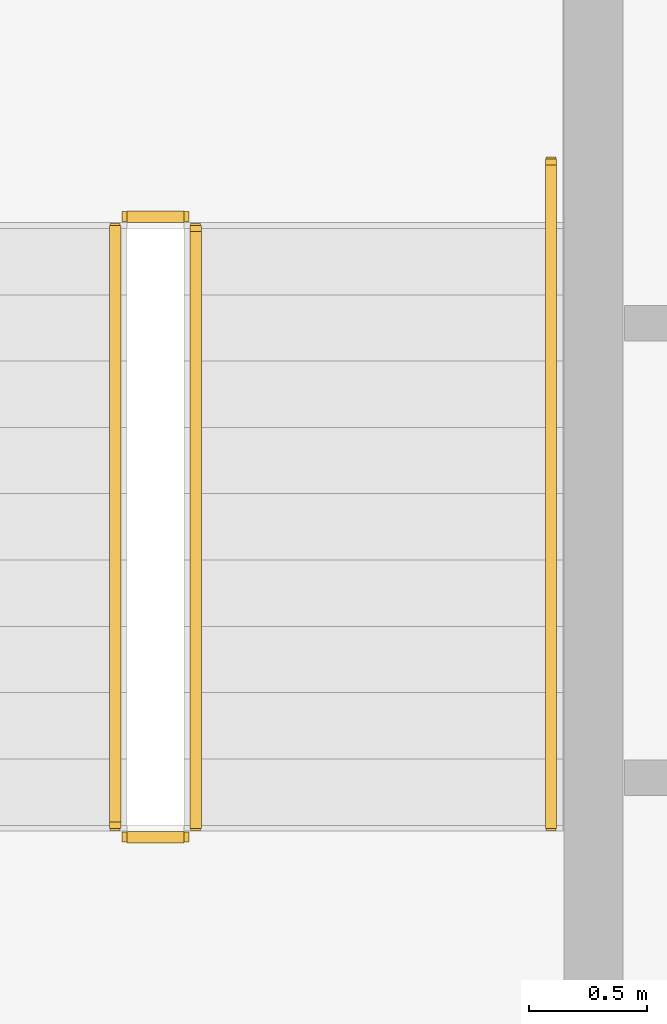
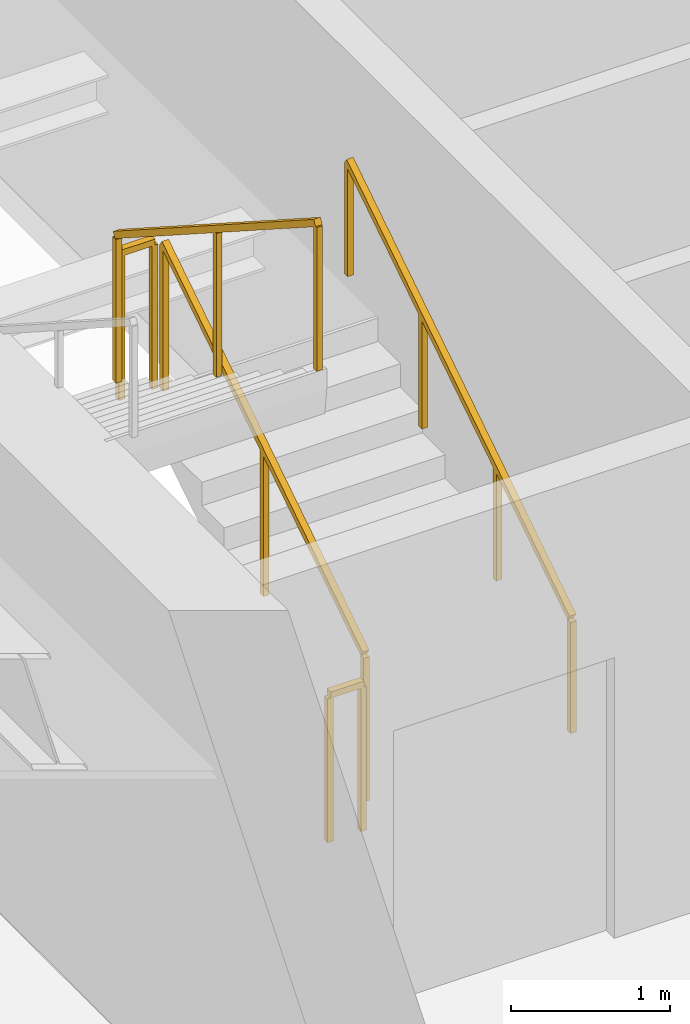
# One storey, part 24 of 27: 5 railings.
"""IFC4 building model written with IfcOpenShell, lengths in metres."""

from ifc_helpers import new_model, si_unit, direction, frame, origin, origin_2d, place, context, subcontext, project, spatial, rectangle, extrude, material, type_object, element, save


model = new_model("IFC4")

# Units and contexts
model_context = context("Model", 3, precision=1e-05, world=origin(), true_north=direction((0.0, 1.0)))
body_context = subcontext(model_context, "Body", "Model", "MODEL_VIEW")
ifc_project = project(units=[si_unit("LENGTHUNIT", "METRE"), si_unit("AREAUNIT", "SQUARE_METRE"), si_unit("VOLUMEUNIT", "CUBIC_METRE"), si_unit("PLANEANGLEUNIT", "RADIAN"), si_unit("MASSUNIT", "GRAM", prefix="KILO")], contexts=[model_context])

# Site, building, storey
site_placement = place(None, origin())
site = spatial("IfcSite", under=ifc_project, at=site_placement, CompositionType="ELEMENT")
building_placement = place(site_placement, origin())
building = spatial("IfcBuilding", under=site, at=building_placement, Name="Sumidabori Civic Tower", CompositionType="ELEMENT")
storey_placement = place(building_placement, frame((0.0, 0.0, 156.800048828125)))
storey = spatial("IfcBuildingStorey", under=building, at=storey_placement, Name="L40", CompositionType="ELEMENT", Elevation=156.800048828125)

# Railings
ifc_material_1 = material(Name="Stainless Steel Hairline Finish", Category="steel")
railing_type_1 = type_object("IfcRailingType", Name="RL-HANDRAIL", PredefinedType="HANDRAIL", material=ifc_material_1)
railing_1_placement = place(storey_placement, frame((-11.949951171875, 16.0, 0.179931640625)))
element("IfcRailing", 1, at=railing_1_placement, inside=storey, type_object=railing_type_1, Name="L40 ST-1 stair handrail 1", PredefinedType="HANDRAIL", context=body_context, shape_type="SweptSolid", body=[
    extrude(rectangle(XDim=0.048095703125, YDim=0.048095703125, at=origin_2d()), frame((0.0, 0.0, 0.8759765625), z_axis=(0.0, 0.840675598268, 0.541539046124), x_axis=(-1.0, 0.0, 0.0)), (0.0, 0.0, 1.0), 3.330810546875),
    extrude(rectangle(XDim=0.0419921875, YDim=0.0419921875, at=origin_2d()), origin(), (0.0, 0.0, 1.0), 0.851806640625),
    extrude(rectangle(XDim=0.0419921875, YDim=0.0419921875, at=origin_2d()), frame((0.0, 0.933349609375, 0.601318359375)), (0.0, 0.0, 1.0), 0.851806640625),
    extrude(rectangle(XDim=0.0419921875, YDim=0.0419921875, at=origin_2d()), frame((0.0, 1.86669921875, 1.202392578125)), (0.0, 0.0, 1.0), 0.851806640625),
    extrude(rectangle(XDim=0.0419921875, YDim=0.0419921875, at=origin_2d()), frame((0.0, 2.800048828125, 1.8037109375)), (0.0, 0.0, 1.0), 0.851806640625),
])
ifc_material_2 = material(Name="Steel SN490", Category="steel")
railing_type_2 = type_object("IfcRailingType", Name="RL-STAIR-GUARD", PredefinedType="GUARDRAIL", material=ifc_material_2)
railing_2_placement = place(storey_placement, frame((-13.449951171875, 16.0, 0.179931640625)))
element("IfcRailing", 2, at=railing_2_placement, inside=storey, type_object=railing_type_2, Name="L40 ST-1 stair guard 1", PredefinedType="GUARDRAIL", context=body_context, shape_type="SweptSolid", body=[
    extrude(rectangle(XDim=0.048095703125, YDim=0.048095703125, at=origin_2d()), frame((0.0, 0.0, 1.1259765625), z_axis=(0.0, 0.841162588446, 0.540782303519), x_axis=(-1.0, 0.0, 0.0)), (0.0, 0.0, 1.0), 2.995849609375),
    extrude(rectangle(XDim=0.0419921875, YDim=0.0419921875, at=origin_2d()), origin(), (0.0, 0.0, 1.0), 1.101806640625),
    extrude(rectangle(XDim=0.0419921875, YDim=0.0419921875, at=origin_2d()), frame((0.0, 1.260009765625, 0.81005859375)), (0.0, 0.0, 1.0), 1.101806640625),
    extrude(rectangle(XDim=0.0419921875, YDim=0.0419921875, at=origin_2d()), frame((0.0, 2.52001953125, 1.6201171875)), (0.0, 0.0, 1.0), 1.101806640625),
])
railing_3_placement = place(storey_placement, frame((-13.5, 18.570068359375, 1.800048828125)))
element("IfcRailing", 3, at=railing_3_placement, inside=storey, type_object=railing_type_2, Name="L40 ST-1 stair guard 2", PredefinedType="GUARDRAIL", context=body_context, shape_type="SweptSolid", body=[
    extrude(rectangle(XDim=0.048095703125, YDim=0.048095703125, at=origin_2d()), frame((0.0, 0.0, 1.1259765625), z_axis=(-1.0, 0.0, 0.0), x_axis=(0.0, -1.0, 0.0)), (0.0, 0.0, 1.0), 0.239990234375),
    extrude(rectangle(XDim=0.0419921875, YDim=0.0419921875, at=origin_2d()), origin(), (0.0, 0.0, 1.0), 1.101806640625),
    extrude(rectangle(XDim=0.0419921875, YDim=0.0419921875, at=origin_2d()), frame((-0.239990234375, 0.0, 0.0)), (0.0, 0.0, 1.0), 1.101806640625),
])
railing_4_placement = place(storey_placement, frame((-13.7900390625, 18.52001953125, 1.97998046875)))
element("IfcRailing", 4, at=railing_4_placement, inside=storey, type_object=railing_type_2, Name="L40 ST-1 stair guard 3", PredefinedType="GUARDRAIL", context=body_context, shape_type="SweptSolid", body=[
    extrude(rectangle(XDim=0.048095703125, YDim=0.048095703125, at=origin_2d()), frame((0.0, 0.0, 1.1259765625), z_axis=(0.0, -0.841199657755, 0.540724639528), x_axis=(1.0, 0.0, 0.0)), (0.0, 0.0, 1.0), 2.995849609375),
    extrude(rectangle(XDim=0.0419921875, YDim=0.0419921875, at=origin_2d()), origin(), (0.0, 0.0, 1.0), 1.101806640625),
    extrude(rectangle(XDim=0.0419921875, YDim=0.0419921875, at=origin_2d()), frame((0.0, -1.260009765625, 0.81005859375)), (0.0, 0.0, 1.0), 1.101806640625),
    extrude(rectangle(XDim=0.0419921875, YDim=0.0419921875, at=origin_2d()), frame((0.0, -2.52001953125, 1.619873046875)), (0.0, 0.0, 1.0), 1.101806640625),
])
railing_5_placement = place(storey_placement, frame((-13.5, 15.949951171875, 0.0)))
element("IfcRailing", 5, at=railing_5_placement, inside=storey, type_object=railing_type_2, Name="L40 ST-1 stair guard 4", PredefinedType="GUARDRAIL", context=body_context, shape_type="SweptSolid", body=[
    extrude(rectangle(XDim=0.048095703125, YDim=0.048095703125, at=origin_2d()), frame((0.0, 0.0, 1.1259765625), z_axis=(-1.0, 0.0, 0.0), x_axis=(0.0, -1.0, 0.0)), (0.0, 0.0, 1.0), 0.239990234375),
    extrude(rectangle(XDim=0.0419921875, YDim=0.0419921875, at=origin_2d()), origin(), (0.0, 0.0, 1.0), 1.101806640625),
    extrude(rectangle(XDim=0.0419921875, YDim=0.0419921875, at=origin_2d()), frame((-0.239990234375, 0.0, 0.0)), (0.0, 0.0, 1.0), 1.101806640625),
])

save(model, "model.ifc")
